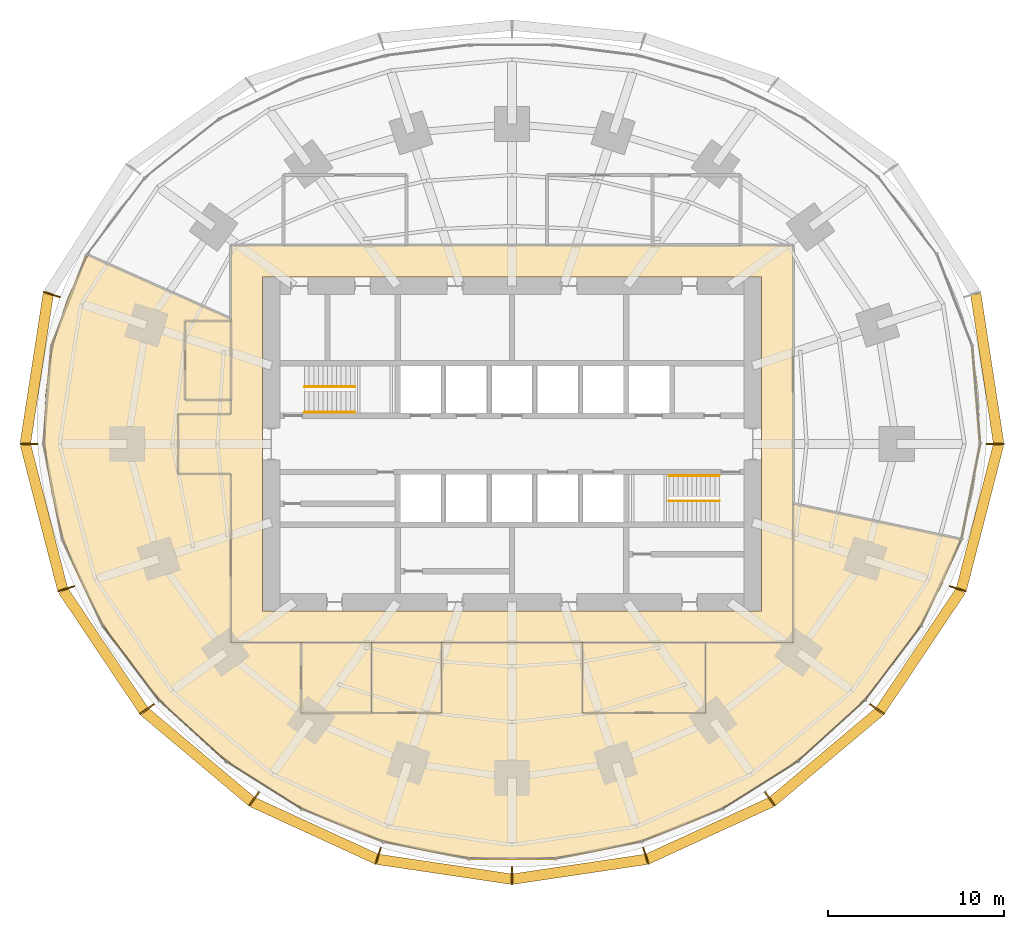
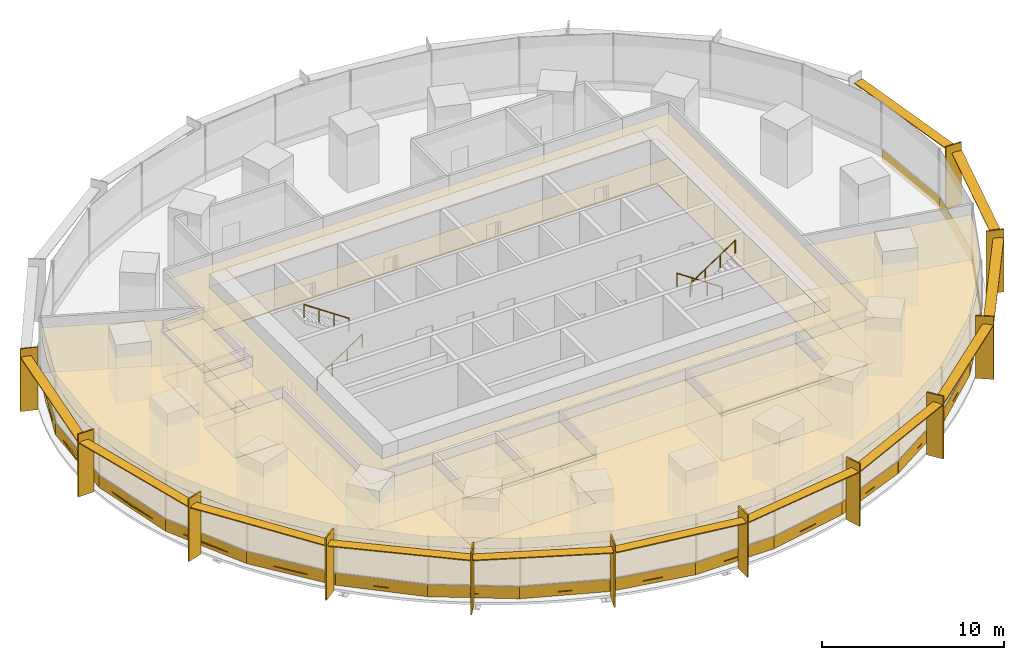
# One storey, part 14 of 15: 30 coverings, 24 shading devices, 4 railings.
"""IFC4 building model written with IfcOpenShell, lengths in metres."""

from ifc_helpers import new_model, si_unit, direction, frame, origin, origin_2d, place, context, subcontext, project, spatial, polyline, rectangle, circle, outline, extrude, material, layer, layer_set, type_object, element, save


model = new_model("IFC4")

# Units and contexts
model_context = context("Model", 3, precision=1e-05, world=origin(), true_north=direction((0.0, 1.0)))
body_context = subcontext(model_context, "Body", "Model", "MODEL_VIEW")
ifc_project = project(units=[si_unit("LENGTHUNIT", "METRE"), si_unit("AREAUNIT", "SQUARE_METRE"), si_unit("VOLUMEUNIT", "CUBIC_METRE"), si_unit("PLANEANGLEUNIT", "RADIAN"), si_unit("MASSUNIT", "GRAM", prefix="KILO")], contexts=[model_context])

# Site, building, storey
site_placement = place(None, origin())
site = spatial("IfcSite", under=ifc_project, at=site_placement, CompositionType="ELEMENT")
building_placement = place(site_placement, origin())
building = spatial("IfcBuilding", under=site, at=building_placement, Name="Marramba Exchange Tower", CompositionType="ELEMENT")
storey_placement = place(building_placement, frame((0.0, 0.0, 40.60009765625)))
storey = spatial("IfcBuildingStorey", under=building, at=storey_placement, Name="L09", CompositionType="ELEMENT", Elevation=40.60009765625)

# Shading devices
ifc_material_1 = material(Name="Aluminium blade, timber-look bronze finish", Category="wood")
ifc_layer_1 = layer(ifc_material_1, 0.080078125)
ifc_layer_set_1 = layer_set([ifc_layer_1], Name="Floor-edge blade 1000x80")
shading_device_type_1 = type_object("IfcShadingDeviceType", Name="Floor-edge blade 1000x80", PredefinedType="USERDEFINED", material=ifc_layer_set_1)
for number, where, z_axis, x_axis, name in (
    (1, (27.5, 0.0, -0.16015625), (0.0, 0.0, 1.0), (1.0, 0.0, 0.0), "Floor-edge blade FB1 L09 TC01"),
    (2, (-26.193115234375, 8.5107421875, -0.16015625), (0.0, 0.0, 1.0), (-0.951056516295, 0.309016994375, 0.0), "Floor-edge blade FB1 L09 TC10"),
    (3, (-27.5, 0.0, -0.16015625), (0.0, 0.0, 1.0), (-1.0, 0.0, 0.0), "Floor-edge blade FB1 L09 TC11"),
    (4, (-25.3740234375, -8.24462890625, -0.16015625), (0.0, 0.0, 1.0), (-0.951056516295, -0.309016994375, 0.0), "Floor-edge blade FB1 L09 TC12"),
    (5, (-20.773193359375, -15.092529296875, -0.16015625), (0.0, 0.0, 1.0), (-0.809016994375, -0.587785252292, 0.0), "Floor-edge blade FB1 L09 TC13"),
    (6, (-14.6787109375, -20.20361328125, -0.16015625), (0.0, 0.0, 1.0), (-0.587785252292, -0.809016994375, 0.0), "Floor-edge blade FB1 L09 TC14"),
    (7, (-7.61767578125, -23.444580078125, -0.16015625), (0.0, 0.0, 1.0), (-0.309016994375, -0.951056516295, 0.0), "Floor-edge blade FB1 L09 TC15"),
    (8, (0.0, -24.572021484375, -0.16015625), (0.0, 0.0, 1.0), (0.0, -1.0, 0.0), "Floor-edge blade FB1 L09 TC16"),
    (9, (7.61767578125, -23.444580078125, -0.16015625), (0.0, 0.0, 1.0), (0.309016994375, -0.951056516295, 0.0), "Floor-edge blade FB1 L09 TC17"),
    (10, (14.6787109375, -20.20361328125, -0.16015625), (0.0, 0.0, 1.0), (0.587785252292, -0.809016994375, 0.0), "Floor-edge blade FB1 L09 TC18"),
    (11, (20.773193359375, -15.092529296875, -0.16015625), (0.0, 0.0, 1.0), (0.809016994375, -0.587785252292, 0.0), "Floor-edge blade FB1 L09 TC19"),
    (12, (25.3740234375, -8.24462890625, -0.16015625), (0.0, 0.0, 1.0), (0.951056516295, -0.309016994375, 0.0), "Floor-edge blade FB1 L09 TC20"),
):
    element("IfcShadingDevice", number, at=place(storey_placement, frame(where, z_axis=z_axis, x_axis=x_axis)), inside=storey, type_object=shading_device_type_1, Name=name, ObjectType="FIN", PredefinedType="USERDEFINED", context=body_context, shape_type="SweptSolid", body=[
        extrude(rectangle(XDim=1.0, YDim=0.080078125, at=origin_2d()), origin(), (0.0, 0.0, 1.0), 4.199951171875),
    ])

# Coverings
ifc_material_2 = material(Name="Steel raised access floor panels", Category="steel")
ifc_layer_2 = layer(ifc_material_2, 0.050048828125)
ifc_layer_set_2 = layer_set([ifc_layer_2], Name="Raised access floor 300")
covering_type_1 = type_object("IfcCoveringType", Name="Raised access floor 300", PredefinedType="FLOORING", material=ifc_layer_set_2)
covering_1_placement = place(storey_placement, frame((0.0, 0.0, 0.25)))
element("IfcCovering", 13, at=covering_1_placement, inside=storey, type_object=covering_type_1, Name="Raised access floor RAF1 L09 Trading Floor 2", PredefinedType="FLOORING", context=body_context, shape_type="SweptSolid", body=[
    extrude(outline(polyline([(-19.0, 1.699951171875), (-19.0, -1.699951171875), (-16.0, -1.699951171875), (-16.0, -11.300048828125), (-12.0, -11.300048828125), (-12.0, -15.300048828125), (-8.0, -15.300048828125), (-4.0, -15.300048828125), (-4.0, -11.300048828125), (4.0, -11.300048828125), (4.0, -15.300048828125), (11.0, -15.300048828125), (11.0, -11.300048828125), (16.0, -11.300048828125), (16.0, -3.40087890625), (16.906494140625, -3.593505859375), (25.50634765625, -5.421630859375), (25.033935546875, -6.707763671875), (24.489501953125, -7.95703125), (23.879150390625, -9.166259765625), (23.208251953125, -10.3330078125), (22.482177734375, -11.455322265625), (21.7060546875, -12.531982421875), (20.88427734375, -13.5625), (20.020751953125, -14.5458984375), (19.119384765625, -15.482421875), (18.1826171875, -16.371826171875), (17.213623046875, -17.213623046875), (16.21435546875, -18.0078125), (15.1865234375, -18.75390625), (14.132080078125, -19.451171875), (13.052490234375, -20.09912109375), (11.94921875, -20.69677734375), (10.82373046875, -21.242919921875), (9.677734375, -21.736328125), (8.512451171875, -22.17578125), (7.330078125, -22.56005859375), (6.1328125, -22.8876953125), (4.92236328125, -23.15771484375), (3.701416015625, -23.368896484375), (2.47216796875, -23.5205078125), (1.2373046875, -23.611572265625), (0.0, -23.64208984375), (-1.2373046875, -23.611572265625), (-2.47216796875, -23.5205078125), (-3.701416015625, -23.368896484375), (-4.92236328125, -23.15771484375), (-6.1328125, -22.8876953125), (-7.330078125, -22.56005859375), (-8.512451171875, -22.17578125), (-9.677734375, -21.736328125), (-10.82373046875, -21.242919921875), (-11.94921875, -20.69677734375), (-13.052490234375, -20.09912109375), (-14.132080078125, -19.451171875), (-15.1865234375, -18.75390625), (-16.21435546875, -18.0078125), (-17.213623046875, -17.213623046875), (-18.1826171875, -16.371826171875), (-19.119384765625, -15.482421875), (-20.020751953125, -14.5458984375), (-20.88427734375, -13.5625), (-21.7060546875, -12.531982421875), (-22.482177734375, -11.455322265625), (-23.208251953125, -10.3330078125), (-23.879150390625, -9.166259765625), (-24.489501953125, -7.95703125), (-25.033935546875, -6.707763671875), (-25.50634765625, -5.421630859375), (-25.9013671875, -4.102294921875), (-26.213623046875, -2.755126953125), (-26.43798828125, -1.385498046875), (-26.570068359375, 0.0), (-26.6064453125, 1.394287109375), (-26.544921875, 2.7900390625), (-26.3837890625, 4.1787109375), (-26.123291015625, 5.552734375), (-25.763916015625, 6.9033203125), (-25.30859375, 8.22314453125), (-24.76025390625, 9.50439453125), (-24.12353515625, 10.740478515625), (-16.0, 7.123779296875), (-16.0, 7.0), (-18.60009765625, 7.0), (-18.60009765625, 2.5), (-16.0, 2.5), (-16.0, 1.699951171875), (-19.0, 1.699951171875)])), origin(), (0.0, 0.0, 1.0), 0.0498046875),
])
covering_2_placement = place(storey_placement, frame((0.0, 0.0, 0.25)))
element("IfcCovering", 14, at=covering_2_placement, inside=storey, type_object=covering_type_1, Name="Raised access floor RAF1 L09 Corridor", PredefinedType="FLOORING", context=body_context, shape_type="SweptSolid", body=[
    extrude(outline(polyline([(-16.0, 11.300048828125), (16.0, 11.300048828125), (16.0, -11.300048828125), (-16.0, -11.300048828125), (-16.0, -1.699951171875), (-19.0, -1.699951171875), (-19.0, 1.699951171875), (-16.0, 1.699951171875), (-16.0, 11.300048828125)]), holes=[polyline([(14.199951171875, 9.5), (-14.199951171875, 9.5), (-14.199951171875, 1.699951171875), (-14.199951171875, -1.699951171875), (-14.199951171875, -9.5), (14.199951171875, -9.5), (14.199951171875, 9.5)])]), origin(), (0.0, 0.0, 1.0), 0.0498046875),
])
covering_3_placement = place(storey_placement, frame((0.0, 0.0, 0.25)))
element("IfcCovering", 15, at=covering_3_placement, inside=storey, type_object=covering_type_1, Name="Raised access floor RAF1 L09 Pantry", PredefinedType="FLOORING", context=body_context, shape_type="SweptSolid", body=[
    extrude(outline(polyline([(11.0, -15.300048828125), (4.0, -15.300048828125), (4.0, -11.300048828125), (11.0, -11.300048828125), (11.0, -15.300048828125)])), origin(), (0.0, 0.0, 1.0), 0.0498046875),
])
covering_4_placement = place(storey_placement, frame((0.0, 0.0, 0.25)))
element("IfcCovering", 16, at=covering_4_placement, inside=storey, type_object=covering_type_1, Name="Raised access floor RAF1 L09 Data Room 2", PredefinedType="FLOORING", context=body_context, shape_type="SweptSolid", body=[
    extrude(outline(polyline([(-8.0, -15.300048828125), (-12.0, -15.300048828125), (-12.0, -11.300048828125), (-8.0, -11.300048828125), (-8.0, -15.300048828125)])), origin(), (0.0, 0.0, 1.0), 0.0498046875),
])
covering_5_placement = place(storey_placement, frame((0.0, 0.0, 0.25)))
element("IfcCovering", 17, at=covering_5_placement, inside=storey, type_object=covering_type_1, Name="Raised access floor RAF1 L09 Print Room", PredefinedType="FLOORING", context=body_context, shape_type="SweptSolid", body=[
    extrude(outline(polyline([(-4.0, -15.300048828125), (-8.0, -15.300048828125), (-8.0, -11.300048828125), (-4.0, -11.300048828125), (-4.0, -15.300048828125)])), origin(), (0.0, 0.0, 1.0), 0.0498046875),
])
covering_6_placement = place(storey_placement, frame((0.0, 0.0, 0.25)))
element("IfcCovering", 18, at=covering_6_placement, inside=storey, type_object=covering_type_1, Name="Raised access floor RAF1 L09 Interview Room", PredefinedType="FLOORING", context=body_context, shape_type="SweptSolid", body=[
    extrude(outline(polyline([(-16.0, 2.5), (-18.60009765625, 2.5), (-18.60009765625, 7.0), (-16.0, 7.0), (-16.0, 2.5)])), origin(), (0.0, 0.0, 1.0), 0.0498046875),
])

# Shading devices
ifc_material_3 = material(Name="Aluminium sunshade, bronze anodised", Category="aluminium")
ifc_layer_3 = layer(ifc_material_3, 0.06005859375)
ifc_layer_set_3 = layer_set([ifc_layer_3], Name="SUNSHADE blade 600x60")
shading_device_type_2 = type_object("IfcShadingDeviceType", Name="SUNSHADE blade 600x60", PredefinedType="USERDEFINED", material=ifc_layer_set_3)
for number, where, z_axis, x_axis, name in (
    (19, (27.04150390625, 4.2861328125, 3.4599609375), (0.0, 0.0, 1.0), (-0.151825486228, 0.988407315701, 0.0), "Sunshade SS1 L09 bay 01"),
    (20, (-27.04150390625, 4.2861328125, 3.4599609375), (0.0, 0.0, 1.0), (-0.151825486228, -0.988407315701, 0.0), "Sunshade SS1 L09 bay 10"),
):
    element("IfcShadingDevice", number, at=place(storey_placement, frame(where, z_axis=z_axis, x_axis=x_axis)), inside=storey, type_object=shading_device_type_2, Name=name, ObjectType="SUNSHADE", PredefinedType="USERDEFINED", context=body_context, shape_type="SweptSolid", body=[
        extrude(rectangle(XDim=8.593017578125, YDim=0.60009765625, at=origin_2d()), origin(), (0.0, 0.0, 1.0), 0.06005859375),
    ])
shading_device_1_placement = place(storey_placement, frame((-26.632080078125, -4.153076171875, 3.4599609375), z_axis=(0.0, 0.0, 1.0), x_axis=(0.249024641331, -0.968497149201, 0.0)))
element("IfcShadingDevice", 21, at=shading_device_1_placement, inside=storey, type_object=shading_device_type_2, Name="Sunshade SS1 L09 bay 11", ObjectType="SUNSHADE", PredefinedType="USERDEFINED", context=body_context, shape_type="SweptSolid", body=[
    extrude(rectangle(XDim=8.49658203125, YDim=0.60009765625, at=origin_2d()), origin(), (0.0, 0.0, 1.0), 0.06005859375),
])
shading_device_2_placement = place(storey_placement, frame((-23.24951171875, -11.75830078125, 3.4599609375), z_axis=(0.0, 0.0, 1.0), x_axis=(0.556924164761, -0.830563347798, 0.0)))
element("IfcShadingDevice", 22, at=shading_device_2_placement, inside=storey, type_object=shading_device_type_2, Name="Sunshade SS1 L09 bay 12", ObjectType="SUNSHADE", PredefinedType="USERDEFINED", context=body_context, shape_type="SweptSolid", body=[
    extrude(rectangle(XDim=8.232177734375, YDim=0.60009765625, at=origin_2d()), origin(), (0.0, 0.0, 1.0), 0.06005859375),
])
shading_device_3_placement = place(storey_placement, frame((-17.86572265625, -17.787841796875, 3.4599609375), z_axis=(0.0, 0.0, 1.0), x_axis=(0.765776068523, -0.643107310546, 0.0)))
element("IfcShadingDevice", 23, at=shading_device_3_placement, inside=storey, type_object=shading_device_type_2, Name="Sunshade SS1 L09 bay 13", ObjectType="SUNSHADE", PredefinedType="USERDEFINED", context=body_context, shape_type="SweptSolid", body=[
    extrude(rectangle(XDim=7.936279296875, YDim=0.60009765625, at=origin_2d()), origin(), (0.0, 0.0, 1.0), 0.06005859375),
])
shading_device_4_placement = place(storey_placement, frame((-11.23779296875, -22.0, 3.4599609375), z_axis=(0.0, 0.0, 1.0), x_axis=(0.908703542008, -0.417442059144, 0.0)))
element("IfcShadingDevice", 24, at=shading_device_4_placement, inside=storey, type_object=shading_device_type_2, Name="Sunshade SS1 L09 bay 14", ObjectType="SUNSHADE", PredefinedType="USERDEFINED", context=body_context, shape_type="SweptSolid", body=[
    extrude(rectangle(XDim=7.751953125, YDim=0.60009765625, at=origin_2d()), origin(), (0.0, 0.0, 1.0), 0.06005859375),
])
for number, where, z_axis, x_axis, name in (
    (25, (-3.839599609375, -24.203369140625, 3.4599609375), (0.0, 0.0, 1.0), (0.989212895923, -0.146484970356, 0.0), "Sunshade SS1 L09 bay 15"),
    (26, (3.839599609375, -24.203369140625, 3.4599609375), (0.0, 0.0, 1.0), (0.989212895923, 0.146484970356, 0.0), "Sunshade SS1 L09 bay 16"),
):
    element("IfcShadingDevice", number, at=place(storey_placement, frame(where, z_axis=z_axis, x_axis=x_axis)), inside=storey, type_object=shading_device_type_2, Name=name, ObjectType="SUNSHADE", PredefinedType="USERDEFINED", context=body_context, shape_type="SweptSolid", body=[
        extrude(rectangle(XDim=7.68310546875, YDim=0.60009765625, at=origin_2d()), origin(), (0.0, 0.0, 1.0), 0.06005859375),
    ])
shading_device_5_placement = place(storey_placement, frame((11.23779296875, -22.0, 3.4599609375), z_axis=(0.0, 0.0, 1.0), x_axis=(0.908703542008, 0.417442059144, 0.0)))
element("IfcShadingDevice", 27, at=shading_device_5_placement, inside=storey, type_object=shading_device_type_2, Name="Sunshade SS1 L09 bay 17", ObjectType="SUNSHADE", PredefinedType="USERDEFINED", context=body_context, shape_type="SweptSolid", body=[
    extrude(rectangle(XDim=7.751953125, YDim=0.60009765625, at=origin_2d()), origin(), (0.0, 0.0, 1.0), 0.06005859375),
])
shading_device_6_placement = place(storey_placement, frame((17.86572265625, -17.787841796875, 3.4599609375), z_axis=(0.0, 0.0, 1.0), x_axis=(0.765776068523, 0.643107310546, 0.0)))
element("IfcShadingDevice", 28, at=shading_device_6_placement, inside=storey, type_object=shading_device_type_2, Name="Sunshade SS1 L09 bay 18", ObjectType="SUNSHADE", PredefinedType="USERDEFINED", context=body_context, shape_type="SweptSolid", body=[
    extrude(rectangle(XDim=7.936279296875, YDim=0.60009765625, at=origin_2d()), origin(), (0.0, 0.0, 1.0), 0.06005859375),
])
shading_device_7_placement = place(storey_placement, frame((23.24951171875, -11.75830078125, 3.4599609375), z_axis=(0.0, 0.0, 1.0), x_axis=(0.556924164761, 0.830563347798, 0.0)))
element("IfcShadingDevice", 29, at=shading_device_7_placement, inside=storey, type_object=shading_device_type_2, Name="Sunshade SS1 L09 bay 19", ObjectType="SUNSHADE", PredefinedType="USERDEFINED", context=body_context, shape_type="SweptSolid", body=[
    extrude(rectangle(XDim=8.232177734375, YDim=0.60009765625, at=origin_2d()), origin(), (0.0, 0.0, 1.0), 0.06005859375),
])
shading_device_8_placement = place(storey_placement, frame((26.632080078125, -4.153076171875, 3.4599609375), z_axis=(0.0, 0.0, 1.0), x_axis=(0.249024641331, 0.968497149201, 0.0)))
element("IfcShadingDevice", 30, at=shading_device_8_placement, inside=storey, type_object=shading_device_type_2, Name="Sunshade SS1 L09 bay 20", ObjectType="SUNSHADE", PredefinedType="USERDEFINED", context=body_context, shape_type="SweptSolid", body=[
    extrude(rectangle(XDim=8.49658203125, YDim=0.60009765625, at=origin_2d()), origin(), (0.0, 0.0, 1.0), 0.06005859375),
])

# Coverings
ifc_material_4 = material(Name="Aluminium spandrel panel, bronze anodised, insulated", Category="aluminium")
ifc_layer_4 = layer(ifc_material_4, 0.050048828125)
ifc_layer_set_4 = layer_set([ifc_layer_4], Name="Spandrel panel 800")
covering_type_2 = type_object("IfcCoveringType", Name="Spandrel panel 800", PredefinedType="CLADDING", material=ifc_layer_set_4)
covering_7_placement = place(storey_placement, frame((26.42578125, 2.78466796875, 0.0), z_axis=(0.0, 0.0, 1.0), x_axis=(-0.080275227657, 0.996772736297, 0.0)))
element("IfcCovering", 31, at=covering_7_placement, inside=storey, type_object=covering_type_2, Name="Spandrel panel SP1 L09 F01", PredefinedType="CLADDING", context=body_context, shape_type="SweptSolid", body=[
    extrude(rectangle(XDim=5.58740234375, YDim=0.050048828125, at=origin_2d()), origin(), (0.0, 0.0, 1.0), 0.800048828125),
])
covering_8_placement = place(storey_placement, frame((-25.198974609375, 8.171142578125, 0.0), z_axis=(0.0, 0.0, 1.0), x_axis=(-0.359525512701, -0.933135255854, 0.0)))
element("IfcCovering", 32, at=covering_8_placement, inside=storey, type_object=covering_type_2, Name="Spandrel panel SP1 L09 F14", PredefinedType="CLADDING", context=body_context, shape_type="SweptSolid", body=[
    extrude(rectangle(XDim=5.57666015625, YDim=0.050048828125, at=origin_2d()), origin(), (0.0, 0.0, 1.0), 0.800048828125),
])
covering_9_placement = place(storey_placement, frame((-26.42578125, 2.78466796875, 0.0), z_axis=(0.0, 0.0, 1.0), x_axis=(-0.080275227657, -0.996772736297, 0.0)))
element("IfcCovering", 33, at=covering_9_placement, inside=storey, type_object=covering_type_2, Name="Spandrel panel SP1 L09 F15", PredefinedType="CLADDING", context=body_context, shape_type="SweptSolid", body=[
    extrude(rectangle(XDim=5.58740234375, YDim=0.050048828125, at=origin_2d()), origin(), (0.0, 0.0, 1.0), 0.800048828125),
])
covering_10_placement = place(storey_placement, frame((-26.117431640625, -2.718994140625, 0.0), z_axis=(0.0, 0.0, 1.0), x_axis=(0.19224858127, -0.981346260501, 0.0)))
element("IfcCovering", 34, at=covering_10_placement, inside=storey, type_object=covering_type_2, Name="Spandrel panel SP1 L09 F16", PredefinedType="CLADDING", context=body_context, shape_type="SweptSolid", body=[
    extrude(rectangle(XDim=5.54150390625, YDim=0.050048828125, at=origin_2d()), origin(), (0.0, 0.0, 1.0), 0.800048828125),
])
covering_11_placement = place(storey_placement, frame((-24.432861328125, -7.90185546875, 0.0), z_axis=(0.0, 0.0, 1.0), x_axis=(0.423477213559, -0.905906755464, 0.0)))
element("IfcCovering", 35, at=covering_11_placement, inside=storey, type_object=covering_type_2, Name="Spandrel panel SP1 L09 F17", PredefinedType="CLADDING", context=body_context, shape_type="SweptSolid", body=[
    extrude(rectangle(XDim=5.439208984375, YDim=0.050048828125, at=origin_2d()), origin(), (0.0, 0.0, 1.0), 0.800048828125),
])
covering_12_placement = place(storey_placement, frame((-21.683349609375, -12.479248046875, 0.0), z_axis=(0.0, 0.0, 1.0), x_axis=(0.603040469481, -0.797710594243, 0.0)))
element("IfcCovering", 36, at=covering_12_placement, inside=storey, type_object=covering_type_2, Name="Spandrel panel SP1 L09 F18", PredefinedType="CLADDING", context=body_context, shape_type="SweptSolid", body=[
    extrude(rectangle(XDim=5.299560546875, YDim=0.050048828125, at=origin_2d()), origin(), (0.0, 0.0, 1.0), 0.800048828125),
])
covering_13_placement = place(storey_placement, frame((-18.1767578125, -16.330078125, 0.0), z_axis=(0.0, 0.0, 1.0), x_axis=(0.739589582203, -0.673058132628, 0.0)))
element("IfcCovering", 37, at=covering_13_placement, inside=storey, type_object=covering_type_2, Name="Spandrel panel SP1 L09 F19", PredefinedType="CLADDING", context=body_context, shape_type="SweptSolid", body=[
    extrude(rectangle(XDim=5.161865234375, YDim=0.050048828125, at=origin_2d()), origin(), (0.0, 0.0, 1.0), 0.800048828125),
])
covering_14_placement = place(storey_placement, frame((-14.128662109375, -19.416748046875, 0.0), z_axis=(0.0, 0.0, 1.0), x_axis=(0.845790829799, -0.533514641062, 0.0)))
element("IfcCovering", 38, at=covering_14_placement, inside=storey, type_object=covering_type_2, Name="Spandrel panel SP1 L09 F20", PredefinedType="CLADDING", context=body_context, shape_type="SweptSolid", body=[
    extrude(rectangle(XDim=5.05859375, YDim=0.050048828125, at=origin_2d()), origin(), (0.0, 0.0, 1.0), 0.800048828125),
])
covering_15_placement = place(storey_placement, frame((-9.672119140625, -21.701171875, 0.0), z_axis=(0.0, 0.0, 1.0), x_axis=(0.927340675001, -0.374218215069, 0.0)))
element("IfcCovering", 39, at=covering_15_placement, inside=storey, type_object=covering_type_2, Name="Spandrel panel SP1 L09 F21", PredefinedType="CLADDING", context=body_context, shape_type="SweptSolid", body=[
    extrude(rectangle(XDim=4.99755859375, YDim=0.050048828125, at=origin_2d()), origin(), (0.0, 0.0, 1.0), 0.800048828125),
])
covering_16_placement = place(storey_placement, frame((-4.917724609375, -23.1181640625, 0.0), z_axis=(0.0, 0.0, 1.0), x_axis=(0.981009201842, -0.193961196898, 0.0)))
element("IfcCovering", 40, at=covering_16_placement, inside=storey, type_object=covering_type_2, Name="Spandrel panel SP1 L09 F22", PredefinedType="CLADDING", context=body_context, shape_type="SweptSolid", body=[
    extrude(rectangle(XDim=4.96875, YDim=0.050048828125, at=origin_2d()), origin(), (0.0, 0.0, 1.0), 0.800048828125),
])
covering_17_placement = place(storey_placement, frame((0.0, -23.599853515625, 0.0), z_axis=(0.0, 0.0, 1.0), x_axis=(1.0, 0.0, 0.0)))
element("IfcCovering", 41, at=covering_17_placement, inside=storey, type_object=covering_type_2, Name="Spandrel panel SP1 L09 F23", PredefinedType="CLADDING", context=body_context, shape_type="SweptSolid", body=[
    extrude(rectangle(XDim=4.9609375, YDim=0.050048828125, at=origin_2d()), origin(), (0.0, 0.0, 1.0), 0.800048828125),
])
covering_18_placement = place(storey_placement, frame((4.917724609375, -23.1181640625, 0.0), z_axis=(0.0, 0.0, 1.0), x_axis=(0.981009201842, 0.193961196898, 0.0)))
element("IfcCovering", 42, at=covering_18_placement, inside=storey, type_object=covering_type_2, Name="Spandrel panel SP1 L09 F24", PredefinedType="CLADDING", context=body_context, shape_type="SweptSolid", body=[
    extrude(rectangle(XDim=4.96875, YDim=0.050048828125, at=origin_2d()), origin(), (0.0, 0.0, 1.0), 0.800048828125),
])
covering_19_placement = place(storey_placement, frame((9.672119140625, -21.701171875, 0.0), z_axis=(0.0, 0.0, 1.0), x_axis=(0.927340675001, 0.374218215069, 0.0)))
element("IfcCovering", 43, at=covering_19_placement, inside=storey, type_object=covering_type_2, Name="Spandrel panel SP1 L09 F25", PredefinedType="CLADDING", context=body_context, shape_type="SweptSolid", body=[
    extrude(rectangle(XDim=4.99755859375, YDim=0.050048828125, at=origin_2d()), origin(), (0.0, 0.0, 1.0), 0.800048828125),
])
covering_20_placement = place(storey_placement, frame((14.128662109375, -19.416748046875, 0.0), z_axis=(0.0, 0.0, 1.0), x_axis=(0.845790829799, 0.533514641062, 0.0)))
element("IfcCovering", 44, at=covering_20_placement, inside=storey, type_object=covering_type_2, Name="Spandrel panel SP1 L09 F26", PredefinedType="CLADDING", context=body_context, shape_type="SweptSolid", body=[
    extrude(rectangle(XDim=5.05859375, YDim=0.050048828125, at=origin_2d()), origin(), (0.0, 0.0, 1.0), 0.800048828125),
])
covering_21_placement = place(storey_placement, frame((18.1767578125, -16.330078125, 0.0), z_axis=(0.0, 0.0, 1.0), x_axis=(0.739589582203, 0.673058132628, 0.0)))
element("IfcCovering", 45, at=covering_21_placement, inside=storey, type_object=covering_type_2, Name="Spandrel panel SP1 L09 F27", PredefinedType="CLADDING", context=body_context, shape_type="SweptSolid", body=[
    extrude(rectangle(XDim=5.161865234375, YDim=0.050048828125, at=origin_2d()), origin(), (0.0, 0.0, 1.0), 0.800048828125),
])
covering_22_placement = place(storey_placement, frame((21.683349609375, -12.479248046875, 0.0), z_axis=(0.0, 0.0, 1.0), x_axis=(0.603040469481, 0.797710594243, 0.0)))
element("IfcCovering", 46, at=covering_22_placement, inside=storey, type_object=covering_type_2, Name="Spandrel panel SP1 L09 F28", PredefinedType="CLADDING", context=body_context, shape_type="SweptSolid", body=[
    extrude(rectangle(XDim=5.299560546875, YDim=0.050048828125, at=origin_2d()), origin(), (0.0, 0.0, 1.0), 0.800048828125),
])
covering_23_placement = place(storey_placement, frame((24.432861328125, -7.90185546875, 0.0), z_axis=(0.0, 0.0, 1.0), x_axis=(0.423477213559, 0.905906755464, 0.0)))
element("IfcCovering", 47, at=covering_23_placement, inside=storey, type_object=covering_type_2, Name="Spandrel panel SP1 L09 F29", PredefinedType="CLADDING", context=body_context, shape_type="SweptSolid", body=[
    extrude(rectangle(XDim=5.439208984375, YDim=0.050048828125, at=origin_2d()), origin(), (0.0, 0.0, 1.0), 0.800048828125),
])
covering_24_placement = place(storey_placement, frame((26.117431640625, -2.718994140625, 0.0), z_axis=(0.0, 0.0, 1.0), x_axis=(0.19224858127, 0.981346260501, 0.0)))
element("IfcCovering", 48, at=covering_24_placement, inside=storey, type_object=covering_type_2, Name="Spandrel panel SP1 L09 F30", PredefinedType="CLADDING", context=body_context, shape_type="SweptSolid", body=[
    extrude(rectangle(XDim=5.54150390625, YDim=0.050048828125, at=origin_2d()), origin(), (0.0, 0.0, 1.0), 0.800048828125),
])

# Railings
ifc_material_5 = material(Name="Stainless steel handrail", Category="steel")
railing_type = type_object("IfcRailingType", Name="Stair handrail 900", PredefinedType="HANDRAIL", material=ifc_material_5)
railing_1_placement = place(storey_placement, frame((-11.800048828125, 1.800048828125, 0.1748046875)))
element("IfcRailing", 49, at=railing_1_placement, inside=storey, type_object=railing_type, Name="Handrail HR1 ST1 L09 flight 1", PredefinedType="HANDRAIL", context=body_context, shape_type="SweptSolid", body=[
    extrude(circle(Radius=0.02392578125, at=origin_2d()), frame((0.0, 0.0, 0.8759765625), z_axis=(0.829590901723, 0.0, 0.558371682465), x_axis=(0.0, 1.0, 0.0)), (0.0, 0.0, 1.0), 3.447509765625),
    extrude(circle(Radius=0.02099609375, at=origin_2d()), origin(), (0.0, 0.0, 1.0), 0.851806640625),
    extrude(circle(Radius=0.02099609375, at=origin_2d()), frame((0.953369140625, 0.0, 0.6416015625)), (0.0, 0.0, 1.0), 0.851806640625),
    extrude(circle(Radius=0.02099609375, at=origin_2d()), frame((1.90673828125, 0.0, 1.283447265625)), (0.0, 0.0, 1.0), 0.851806640625),
    extrude(circle(Radius=0.02099609375, at=origin_2d()), frame((2.860107421875, 0.0, 1.925048828125)), (0.0, 0.0, 1.0), 0.851806640625),
])
for number, where, name in (
    (50, (-8.93994140625, 3.25, 2.27490234375), "Handrail HR1 ST1 L09 flight 2"),
    (51, (11.800048828125, -1.800048828125, 0.1748046875), "Handrail HR1 ST2 L09 flight 1"),
):
    element("IfcRailing", number, at=place(storey_placement, frame(where)), inside=storey, type_object=railing_type, Name=name, PredefinedType="HANDRAIL", context=body_context, shape_type="SweptSolid", body=[
        extrude(circle(Radius=0.02392578125, at=origin_2d()), frame((0.0, 0.0, 0.8759765625), z_axis=(-0.829590901723, 0.0, 0.558371682465), x_axis=(0.0, -1.0, 0.0)), (0.0, 0.0, 1.0), 3.447509765625),
        extrude(circle(Radius=0.02099609375, at=origin_2d()), origin(), (0.0, 0.0, 1.0), 0.851806640625),
        extrude(circle(Radius=0.02099609375, at=origin_2d()), frame((-0.953369140625, 0.0, 0.6416015625)), (0.0, 0.0, 1.0), 0.851806640625),
        extrude(circle(Radius=0.02099609375, at=origin_2d()), frame((-1.90673828125, 0.0, 1.283447265625)), (0.0, 0.0, 1.0), 0.851806640625),
        extrude(circle(Radius=0.02099609375, at=origin_2d()), frame((-2.860107421875, 0.0, 1.925048828125)), (0.0, 0.0, 1.0), 0.851806640625),
    ])
railing_2_placement = place(storey_placement, frame((8.93994140625, -3.25, 2.27490234375)))
element("IfcRailing", 52, at=railing_2_placement, inside=storey, type_object=railing_type, Name="Handrail HR1 ST2 L09 flight 2", PredefinedType="HANDRAIL", context=body_context, shape_type="SweptSolid", body=[
    extrude(circle(Radius=0.02392578125, at=origin_2d()), frame((0.0, 0.0, 0.8759765625), z_axis=(0.829590901723, 0.0, 0.558371682465), x_axis=(0.0, 1.0, 0.0)), (0.0, 0.0, 1.0), 3.447509765625),
    extrude(circle(Radius=0.02099609375, at=origin_2d()), origin(), (0.0, 0.0, 1.0), 0.851806640625),
    extrude(circle(Radius=0.02099609375, at=origin_2d()), frame((0.953369140625, 0.0, 0.6416015625)), (0.0, 0.0, 1.0), 0.851806640625),
    extrude(circle(Radius=0.02099609375, at=origin_2d()), frame((1.90673828125, 0.0, 1.283447265625)), (0.0, 0.0, 1.0), 0.851806640625),
    extrude(circle(Radius=0.02099609375, at=origin_2d()), frame((2.860107421875, 0.0, 1.925048828125)), (0.0, 0.0, 1.0), 0.851806640625),
])

# Coverings
ifc_material_6 = material(Name="Mineral fibre ceiling tiles", Category="gypsum")
ifc_layer_5 = layer(ifc_material_6, 0.02001953125)
ifc_layer_set_5 = layer_set([ifc_layer_5], Name="Suspended ceiling 20")
covering_type_3 = type_object("IfcCoveringType", Name="Suspended ceiling 20", PredefinedType="CEILING", material=ifc_layer_set_5)
covering_25_placement = place(storey_placement, frame((0.0, 0.0, 3.2998046875)))
element("IfcCovering", 53, at=covering_25_placement, inside=storey, type_object=covering_type_3, Name="Ceiling CL1 L09 Trading Floor 2", PredefinedType="CEILING", context=body_context, shape_type="SweptSolid", body=[
    extrude(outline(polyline([(-19.0, 1.699951171875), (-19.0, -1.699951171875), (-16.0, -1.699951171875), (-16.0, -11.300048828125), (-12.0, -11.300048828125), (-12.0, -15.300048828125), (-8.0, -15.300048828125), (-4.0, -15.300048828125), (-4.0, -11.300048828125), (4.0, -11.300048828125), (4.0, -15.300048828125), (11.0, -15.300048828125), (11.0, -11.300048828125), (16.0, -11.300048828125), (16.0, -3.40087890625), (16.906494140625, -3.593505859375), (25.50634765625, -5.421630859375), (25.033935546875, -6.707763671875), (24.489501953125, -7.95703125), (23.879150390625, -9.166259765625), (23.208251953125, -10.3330078125), (22.482177734375, -11.455322265625), (21.7060546875, -12.531982421875), (20.88427734375, -13.5625), (20.020751953125, -14.5458984375), (19.119384765625, -15.482421875), (18.1826171875, -16.371826171875), (17.213623046875, -17.213623046875), (16.21435546875, -18.0078125), (15.1865234375, -18.75390625), (14.132080078125, -19.451171875), (13.052490234375, -20.09912109375), (11.94921875, -20.69677734375), (10.82373046875, -21.242919921875), (9.677734375, -21.736328125), (8.512451171875, -22.17578125), (7.330078125, -22.56005859375), (6.1328125, -22.8876953125), (4.92236328125, -23.15771484375), (3.701416015625, -23.368896484375), (2.47216796875, -23.5205078125), (1.2373046875, -23.611572265625), (0.0, -23.64208984375), (-1.2373046875, -23.611572265625), (-2.47216796875, -23.5205078125), (-3.701416015625, -23.368896484375), (-4.92236328125, -23.15771484375), (-6.1328125, -22.8876953125), (-7.330078125, -22.56005859375), (-8.512451171875, -22.17578125), (-9.677734375, -21.736328125), (-10.82373046875, -21.242919921875), (-11.94921875, -20.69677734375), (-13.052490234375, -20.09912109375), (-14.132080078125, -19.451171875), (-15.1865234375, -18.75390625), (-16.21435546875, -18.0078125), (-17.213623046875, -17.213623046875), (-18.1826171875, -16.371826171875), (-19.119384765625, -15.482421875), (-20.020751953125, -14.5458984375), (-20.88427734375, -13.5625), (-21.7060546875, -12.531982421875), (-22.482177734375, -11.455322265625), (-23.208251953125, -10.3330078125), (-23.879150390625, -9.166259765625), (-24.489501953125, -7.95703125), (-25.033935546875, -6.707763671875), (-25.50634765625, -5.421630859375), (-25.9013671875, -4.102294921875), (-26.213623046875, -2.755126953125), (-26.43798828125, -1.385498046875), (-26.570068359375, 0.0), (-26.6064453125, 1.394287109375), (-26.544921875, 2.7900390625), (-26.3837890625, 4.1787109375), (-26.123291015625, 5.552734375), (-25.763916015625, 6.9033203125), (-25.30859375, 8.22314453125), (-24.76025390625, 9.50439453125), (-24.12353515625, 10.740478515625), (-16.0, 7.123779296875), (-16.0, 7.0), (-18.60009765625, 7.0), (-18.60009765625, 2.5), (-16.0, 2.5), (-16.0, 1.699951171875), (-19.0, 1.699951171875)])), origin(), (0.0, 0.0, 1.0), 0.02001953125),
])
covering_26_placement = place(storey_placement, frame((0.0, 0.0, 3.2998046875)))
element("IfcCovering", 54, at=covering_26_placement, inside=storey, type_object=covering_type_3, Name="Ceiling CL1 L09 Corridor", PredefinedType="CEILING", context=body_context, shape_type="SweptSolid", body=[
    extrude(outline(polyline([(-16.0, 11.300048828125), (16.0, 11.300048828125), (16.0, -11.300048828125), (-16.0, -11.300048828125), (-16.0, -1.699951171875), (-19.0, -1.699951171875), (-19.0, 1.699951171875), (-16.0, 1.699951171875), (-16.0, 11.300048828125)]), holes=[polyline([(14.199951171875, 9.5), (-14.199951171875, 9.5), (-14.199951171875, 1.699951171875), (-14.199951171875, -1.699951171875), (-14.199951171875, -9.5), (14.199951171875, -9.5), (14.199951171875, 9.5)])]), origin(), (0.0, 0.0, 1.0), 0.02001953125),
])
covering_27_placement = place(storey_placement, frame((0.0, 0.0, 3.2998046875)))
element("IfcCovering", 55, at=covering_27_placement, inside=storey, type_object=covering_type_3, Name="Ceiling CL1 L09 Pantry", PredefinedType="CEILING", context=body_context, shape_type="SweptSolid", body=[
    extrude(outline(polyline([(11.0, -15.300048828125), (4.0, -15.300048828125), (4.0, -11.300048828125), (11.0, -11.300048828125), (11.0, -15.300048828125)])), origin(), (0.0, 0.0, 1.0), 0.02001953125),
])
covering_28_placement = place(storey_placement, frame((0.0, 0.0, 3.2998046875)))
element("IfcCovering", 56, at=covering_28_placement, inside=storey, type_object=covering_type_3, Name="Ceiling CL1 L09 Data Room 2", PredefinedType="CEILING", context=body_context, shape_type="SweptSolid", body=[
    extrude(outline(polyline([(-8.0, -15.300048828125), (-12.0, -15.300048828125), (-12.0, -11.300048828125), (-8.0, -11.300048828125), (-8.0, -15.300048828125)])), origin(), (0.0, 0.0, 1.0), 0.02001953125),
])
covering_29_placement = place(storey_placement, frame((0.0, 0.0, 3.2998046875)))
element("IfcCovering", 57, at=covering_29_placement, inside=storey, type_object=covering_type_3, Name="Ceiling CL1 L09 Print Room", PredefinedType="CEILING", context=body_context, shape_type="SweptSolid", body=[
    extrude(outline(polyline([(-4.0, -15.300048828125), (-8.0, -15.300048828125), (-8.0, -11.300048828125), (-4.0, -11.300048828125), (-4.0, -15.300048828125)])), origin(), (0.0, 0.0, 1.0), 0.02001953125),
])
covering_30_placement = place(storey_placement, frame((0.0, 0.0, 3.2998046875)))
element("IfcCovering", 58, at=covering_30_placement, inside=storey, type_object=covering_type_3, Name="Ceiling CL1 L09 Interview Room", PredefinedType="CEILING", context=body_context, shape_type="SweptSolid", body=[
    extrude(outline(polyline([(-16.0, 2.5), (-18.60009765625, 2.5), (-18.60009765625, 7.0), (-16.0, 7.0), (-16.0, 2.5)])), origin(), (0.0, 0.0, 1.0), 0.02001953125),
])

save(model, "model.ifc")
